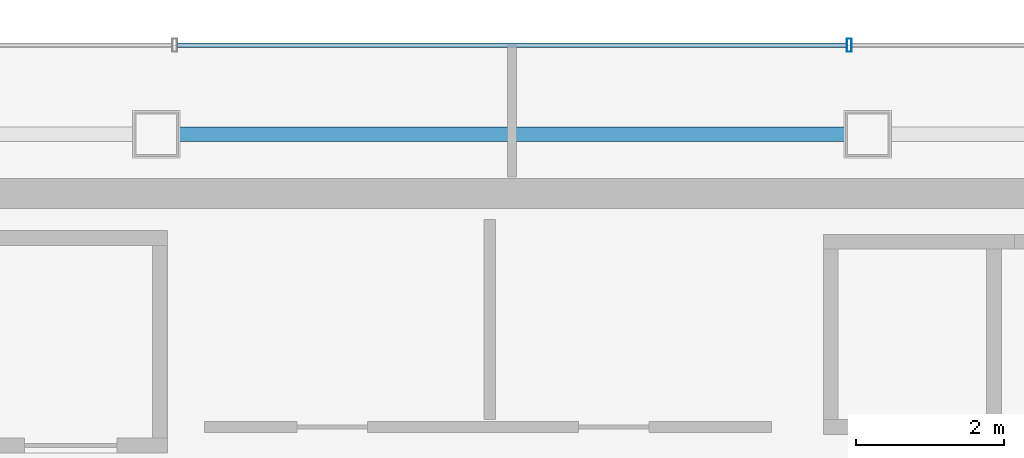
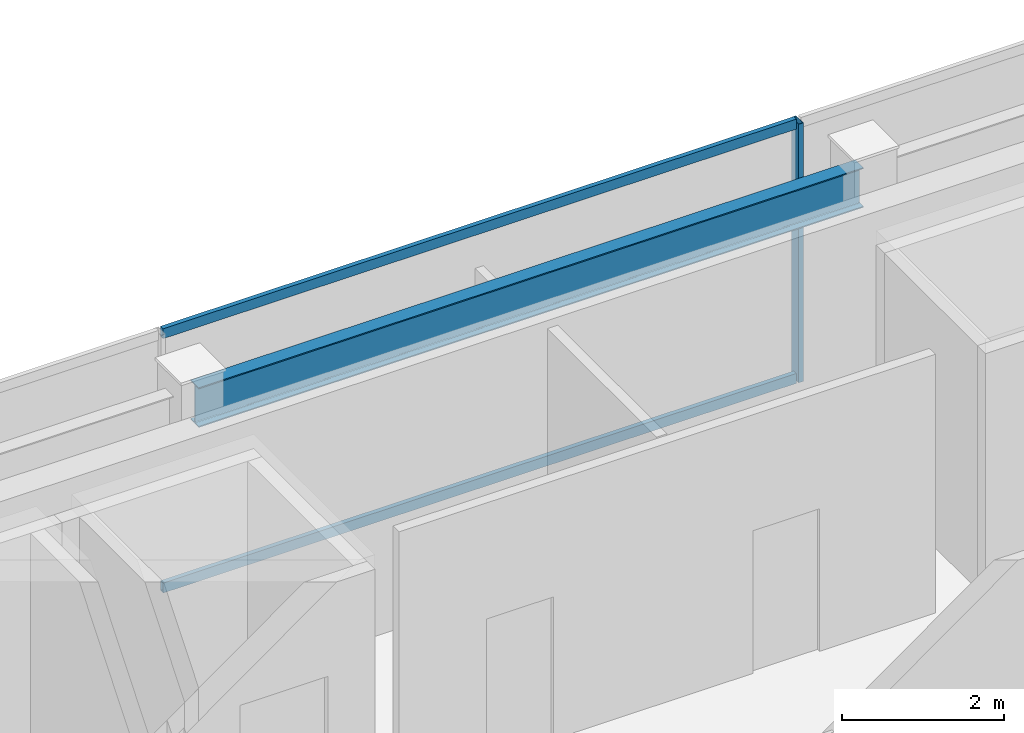
# One storey, part 8 of 17: 3 members, 1 beam, 1 element without a shape of its own.
"""IFC4 building model written with IfcOpenShell, lengths in metres."""

from ifc_helpers import new_model, si_unit, direction, frame, origin, origin_2d, place, context, subcontext, project, spatial, hollow_rectangle, i_section, extrude, material, material_profile, profile_set, type_object, element, aggregate, save


model = new_model("IFC4")

# Units and contexts
model_context = context("Model", 3, precision=1e-05, world=origin(), true_north=direction((0.0, 1.0)))
body_context = subcontext(model_context, "Body", "Model", "MODEL_VIEW")
ifc_project = project(units=[si_unit("LENGTHUNIT", "METRE"), si_unit("AREAUNIT", "SQUARE_METRE"), si_unit("VOLUMEUNIT", "CUBIC_METRE"), si_unit("PLANEANGLEUNIT", "RADIAN"), si_unit("MASSUNIT", "GRAM", prefix="KILO")], contexts=[model_context])

# Site, building, storey
site_placement = place(None, origin())
site = spatial("IfcSite", under=ifc_project, at=site_placement, CompositionType="ELEMENT")
building_placement = place(site_placement, origin())
building = spatial("IfcBuilding", under=site, at=building_placement, Name="Saevonmaru Cultural Tower", CompositionType="ELEMENT")
storey_placement = place(building_placement, frame((0.0, 0.0, 323.39990234375)))
storey = spatial("IfcBuildingStorey", under=building, at=storey_placement, Name="L77", CompositionType="ELEMENT", Elevation=323.39990234375)

# Beam
ifc_material_1 = material(Name="Steel SM355", Category="steel")
ifc_material_profile_1 = material_profile(ifc_material_1, i_section(OverallWidth=0.199951171875, OverallDepth=0.60009765625, WebThickness=0.010986328125, FlangeThickness=0.01708984375, FilletRadius=0.02197265625, at=origin_2d()), Name="H-600x200x11x17")
ifc_profile_set_1 = profile_set([ifc_material_profile_1], Name="Steel SM355")
beam_type = type_object("IfcBeamType", Name="BM-SP-H600", PredefinedType="SPANDREL", material=ifc_profile_set_1)
beam_placement = place(storey_placement, frame((25.260009765625, 54.800048828125, 3.60009765625), z_axis=(1.0, 0.0, 0.0), x_axis=(0.0, 1.0, 0.0)))
element("IfcBeam", 1, at=beam_placement, inside=storey, type_object=beam_type, Name="L77 North Spine Girder 3", PredefinedType="SPANDREL", context=body_context, shape_type="SweptSolid", body=[
    extrude(i_section(OverallWidth=0.199951171875, OverallDepth=0.60009765625, WebThickness=0.010986328125, FlangeThickness=0.01708984375, FilletRadius=0.02197265625, at=origin_2d()), origin(), (0.0, 0.0, 1.0), 9.47998046875),
])

# Curtain wall, members
ifc_material_2 = material(Name="Satin Bronze Anodised Aluminium", Category="aluminium")
curtain_wall_type = type_object("IfcCurtainWallType", Name="CW-SKY-GLZ", PredefinedType="NOTDEFINED", material=ifc_material_2)
curtain_wall_placement = place(storey_placement, origin())
curtain_wall = element("IfcCurtainWall", 2, at=curtain_wall_placement, inside=storey, type_object=curtain_wall_type, Name="L77 Unitised Curtain Wall E10", PredefinedType="NOTDEFINED")
ifc_material_profile_2 = material_profile(ifc_material_2, hollow_rectangle(XDim=0.06494140625, YDim=0.179931640625, WallThickness=0.00390625, at=origin_2d()), Name="ALU-MULL-180x65x4")
ifc_profile_set_2 = profile_set([ifc_material_profile_2], Name="Satin Bronze Anodised Aluminium")
member_type_1 = type_object("IfcMemberType", Name="ML-CW-180x65", PredefinedType="MULLION", material=ifc_profile_set_2)
member_1_placement = place(storey_placement, frame((34.548095703125, 56.0, 0.0), z_axis=(0.0, 0.0, 1.0), x_axis=(-1.0, 0.0, 0.0)))
member_1 = element("IfcMember", 3, at=member_1_placement, type_object=member_type_1, Name="CW-TW-L77-E10 mullion 3", PredefinedType="MULLION", context=body_context, shape_type="SweptSolid", body=[
    extrude(hollow_rectangle(XDim=0.06494140625, YDim=0.179931640625, WallThickness=0.00390625, at=origin_2d()), origin(), (0.0, 0.0, 1.0), 3.900146484375),
])
ifc_material_profile_3 = material_profile(ifc_material_2, hollow_rectangle(XDim=0.06494140625, YDim=0.14990234375, WallThickness=0.00390625, at=origin_2d()), Name="ALU-TRAN-150x65x4")
ifc_profile_set_3 = profile_set([ifc_material_profile_3], Name="Satin Bronze Anodised Aluminium")
member_type_2 = type_object("IfcMemberType", Name="TR-CW-150x65", PredefinedType="USERDEFINED", material=ifc_profile_set_3)
member_2_placement = place(storey_placement, frame((34.515380859375, 56.0, 0.03271484375), z_axis=(-1.0, 0.0, 0.0), x_axis=(0.0, -1.0, 0.0)))
member_2 = element("IfcMember", 4, at=member_2_placement, type_object=member_type_2, Name="CW-TW-L77-E10 transom 3.1", ObjectType="TRANSOM", PredefinedType="USERDEFINED", context=body_context, shape_type="SweptSolid", body=[
    extrude(hollow_rectangle(XDim=0.06494140625, YDim=0.14990234375, WallThickness=0.00390625, at=origin_2d()), origin(), (0.0, 0.0, 1.0), 9.03076171875),
])
member_3_placement = place(storey_placement, frame((34.515380859375, 56.0, 3.86767578125), z_axis=(-1.0, 0.0, 0.0), x_axis=(0.0, -1.0, 0.0)))
member_3 = element("IfcMember", 5, at=member_3_placement, type_object=member_type_2, Name="CW-TW-L77-E10 transom 3.2", ObjectType="TRANSOM", PredefinedType="USERDEFINED", context=body_context, shape_type="SweptSolid", body=[
    extrude(hollow_rectangle(XDim=0.06494140625, YDim=0.14990234375, WallThickness=0.00390625, at=origin_2d()), origin(), (0.0, 0.0, 1.0), 9.03076171875),
])
aggregate(curtain_wall, [member_1, member_2, member_3])

save(model, "model.ifc")
